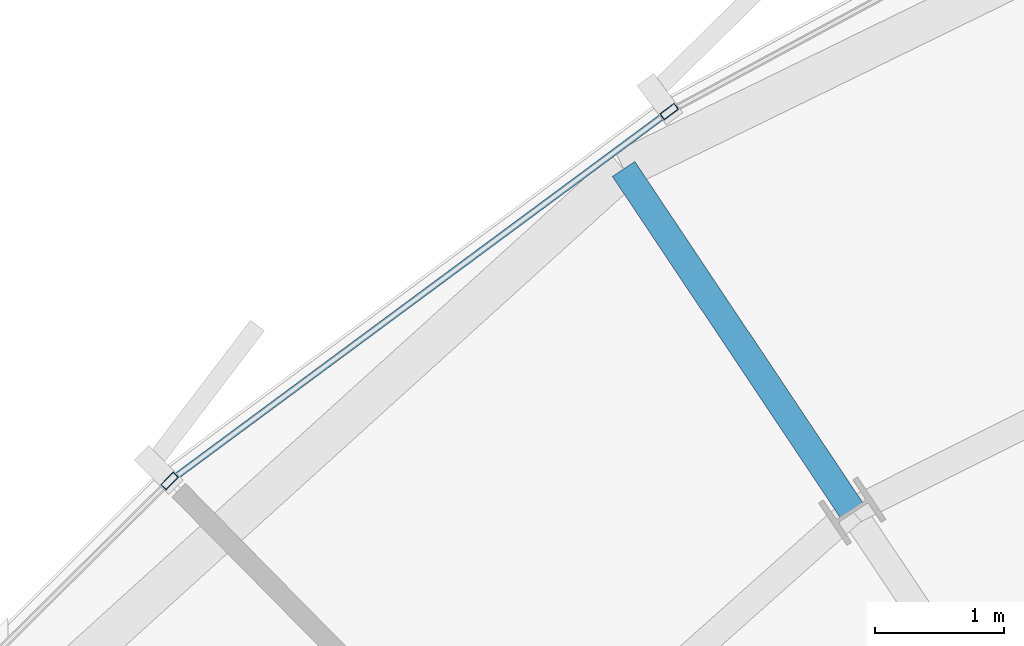
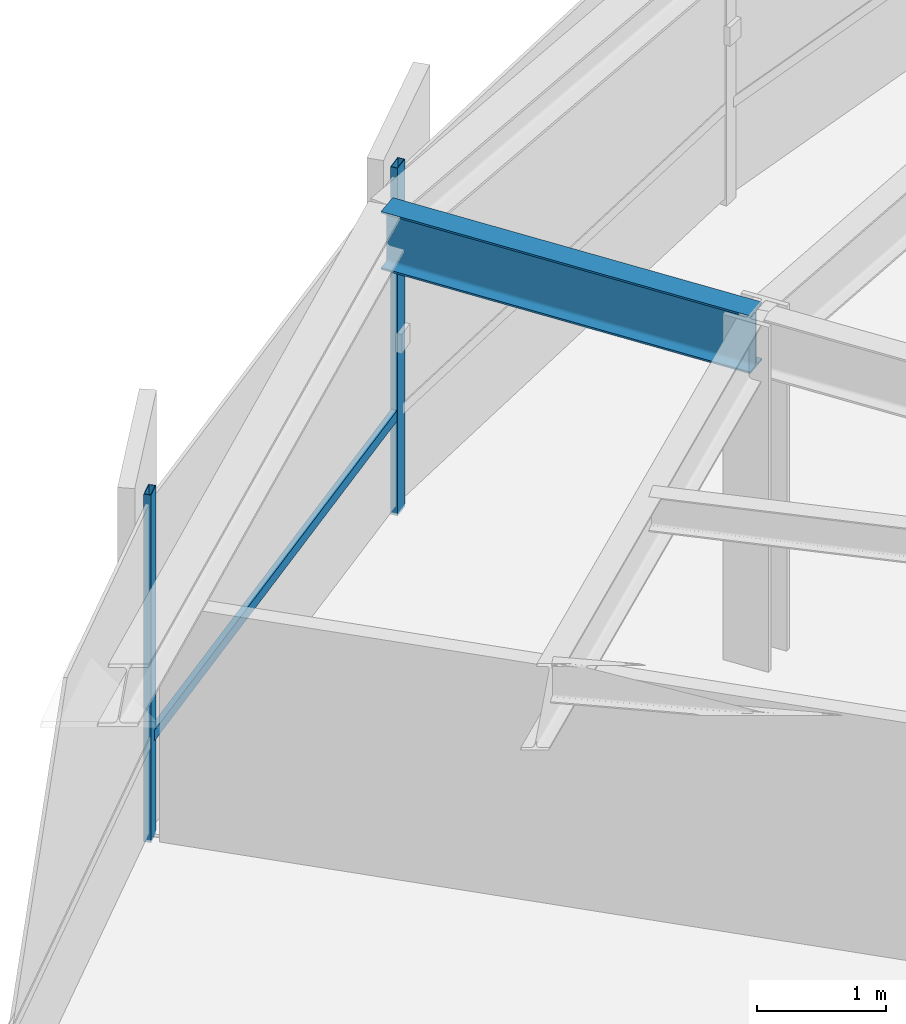
# One storey, part 22 of 36: 3 members, 1 beam, 1 element without a shape of its own.
"""IFC4 building model written with IfcOpenShell, lengths in metres."""

from ifc_helpers import new_model, si_unit, direction, frame, origin, origin_2d, place, context, subcontext, project, spatial, hollow_rectangle, i_section, extrude, source, transform, mapped, material, layer, layer_set, material_profile, profile_set, type_object, element, aggregate, save


model = new_model("IFC4")

# Units and contexts
model_context = context("Model", 3, precision=1e-05, world=origin(), true_north=direction((0.0, 1.0)))
body_context = subcontext(model_context, "Body", "Model", "MODEL_VIEW")
ifc_project = project(units=[si_unit("LENGTHUNIT", "METRE"), si_unit("AREAUNIT", "SQUARE_METRE"), si_unit("VOLUMEUNIT", "CUBIC_METRE"), si_unit("PLANEANGLEUNIT", "RADIAN"), si_unit("MASSUNIT", "GRAM", prefix="KILO"), si_unit("THERMODYNAMICTEMPERATUREUNIT", "KELVIN")], contexts=[model_context])

# Site, building, storey
site_placement = place(None, origin())
site = spatial("IfcSite", under=ifc_project, at=site_placement, CompositionType="ELEMENT")
building_placement = place(site_placement, origin())
building = spatial("IfcBuilding", under=site, at=building_placement, Name="Kethvar Cultural Tower", CompositionType="ELEMENT")
storey_placement = place(building_placement, frame((0.0, 0.0, 164.300048828125)))
storey = spatial("IfcBuildingStorey", under=building, at=storey_placement, Name="L42", CompositionType="ELEMENT", Elevation=164.300048828125)

# Beam
ifc_material_1 = material(Name="Steel S355J2", Category="steel")
ifc_material_profile_1 = material_profile(ifc_material_1, i_section(OverallWidth=0.2099609375, OverallDepth=0.550048828125, WebThickness=0.010986328125, FlangeThickness=0.01708984375, FilletRadius=0.02392578125, at=origin_2d()), Name="Steel S355J2 — IPE550")
ifc_profile_set_1 = profile_set([ifc_material_profile_1], Name="Steel S355J2 — IPE550")
beam_type = type_object("IfcBeamType", Name="BM-IPE550", PredefinedType="BEAM", material=ifc_profile_set_1)
shared_shape_1 = source(origin(), body_context, "Body", "SweptSolid", [
    extrude(i_section(OverallWidth=0.2099609375, OverallDepth=0.550048828125, WebThickness=0.010986328125, FlangeThickness=0.01708984375, FilletRadius=0.02392578125, at=origin_2d()), origin(), (0.0, 0.0, 1.0), 3.2001953125),
])
beam_placement = place(storey_placement, frame((36.0576171875, 43.877197265625, 3.02294921875), z_axis=(-0.555544970406, 0.831486491686, 0.0), x_axis=(-0.831486491686, -0.555544970406, 0.0)))
element("IfcBeam", 1, at=beam_placement, inside=storey, type_object=beam_type, Name="L42 Perimeter Cantilever Beam RC-06", PredefinedType="BEAM", context=body_context, shape_type="MappedRepresentation", body=[
    mapped(shared_shape_1, transform((0.0, 0.0, 0.0), scale=1.0)),
])

# Curtain wall, members
ifc_material_2 = material(Name="Aluminium 6063-T6", Category="aluminium")
ifc_layer = layer(ifc_material_2, 0.179931640625, Name="Aluminium 6063-T6", Category="aluminium")
ifc_layer_set = layer_set([ifc_layer], Name="Aluminium 6063-T6 (180 mm)")
curtain_wall_type = type_object("IfcCurtainWallType", Name="CW-SYS-04-Z34", PredefinedType="NOTDEFINED", material=ifc_layer_set)
curtain_wall_placement = place(storey_placement, origin())
curtain_wall = element("IfcCurtainWall", 2, at=curtain_wall_placement, inside=storey, type_object=curtain_wall_type, Name="L42 Curtain Wall Run 02", PredefinedType="NOTDEFINED")
ifc_material_profile_2 = material_profile(ifc_material_2, hollow_rectangle(XDim=0.06005859375, YDim=0.139892578125, WallThickness=0.0048828125, at=origin_2d()), Name="Aluminium 6063-T6 — RHS140x60x5")
ifc_profile_set_2 = profile_set([ifc_material_profile_2], Name="Aluminium 6063-T6 — RHS140x60x5")
member_type_1 = type_object("IfcMemberType", Name="CW-SYS-04-Z34-MUL", PredefinedType="MULLION", material=ifc_profile_set_2)
shared_shape_2 = source(origin(), body_context, "Body", "SweptSolid", [
    extrude(hollow_rectangle(XDim=0.06005859375, YDim=0.139892578125, WallThickness=0.0048828125, at=origin_2d()), origin(), (0.0, 0.0, 1.0), 3.300048828125),
])
member_1_placement = place(storey_placement, frame((34.63427734375, 46.984619140625, 0.0), z_axis=(0.0, 0.0, 1.0), x_axis=(0.594850846287, -0.803836096895, 0.0)))
member_1 = element("IfcMember", 3, at=member_1_placement, type_object=member_type_1, Name="CW-L42-R02 Mullion 4", PredefinedType="MULLION", context=body_context, shape_type="MappedRepresentation", body=[
    mapped(shared_shape_2, transform((0.0, 0.0, 0.0), scale=1.0)),
])
member_2_placement = place(storey_placement, frame((30.749755859375, 44.111328125, 0.0), z_axis=(0.0, 0.0, 1.0), x_axis=(0.704510355776, -0.709693707598, 0.0)))
member_2 = element("IfcMember", 4, at=member_2_placement, type_object=member_type_1, Name="CW-L42-R02 Mullion 5", PredefinedType="MULLION", context=body_context, shape_type="MappedRepresentation", body=[
    mapped(shared_shape_2, transform((0.0, 0.0, 0.0), scale=1.0)),
])
ifc_material_profile_3 = material_profile(ifc_material_2, hollow_rectangle(XDim=0.050048828125, YDim=0.10009765625, WallThickness=0.00390625, at=origin_2d()), Name="Aluminium 6063-T6 — RHS100x50x4")
ifc_profile_set_3 = profile_set([ifc_material_profile_3], Name="Aluminium 6063-T6 — RHS100x50x4")
member_type_2 = type_object("IfcMemberType", Name="CW-SYS-04-Z34-TRN", PredefinedType="USERDEFINED", material=ifc_profile_set_3)
shared_shape_3 = source(origin(), body_context, "Body", "SweptSolid", [
    extrude(hollow_rectangle(XDim=0.050048828125, YDim=0.10009765625, WallThickness=0.00390625, at=origin_2d()), origin(), (0.0, 0.0, 1.0), 4.76123046875),
])
member_3_placement = place(storey_placement, frame((34.599609375, 46.958984375, 0.949951171875), z_axis=(-0.803823264559, -0.594868186537, 0.0), x_axis=(0.594868186537, -0.803823264559, 0.0)))
member_3 = element("IfcMember", 5, at=member_3_placement, type_object=member_type_2, Name="CW-L42-R02 Transom 4", ObjectType="TRANSOM", PredefinedType="USERDEFINED", context=body_context, shape_type="MappedRepresentation", body=[
    mapped(shared_shape_3, transform((0.0, 0.0, 0.0), scale=1.0)),
])
aggregate(curtain_wall, [member_1, member_2, member_3])

save(model, "model.ifc")
